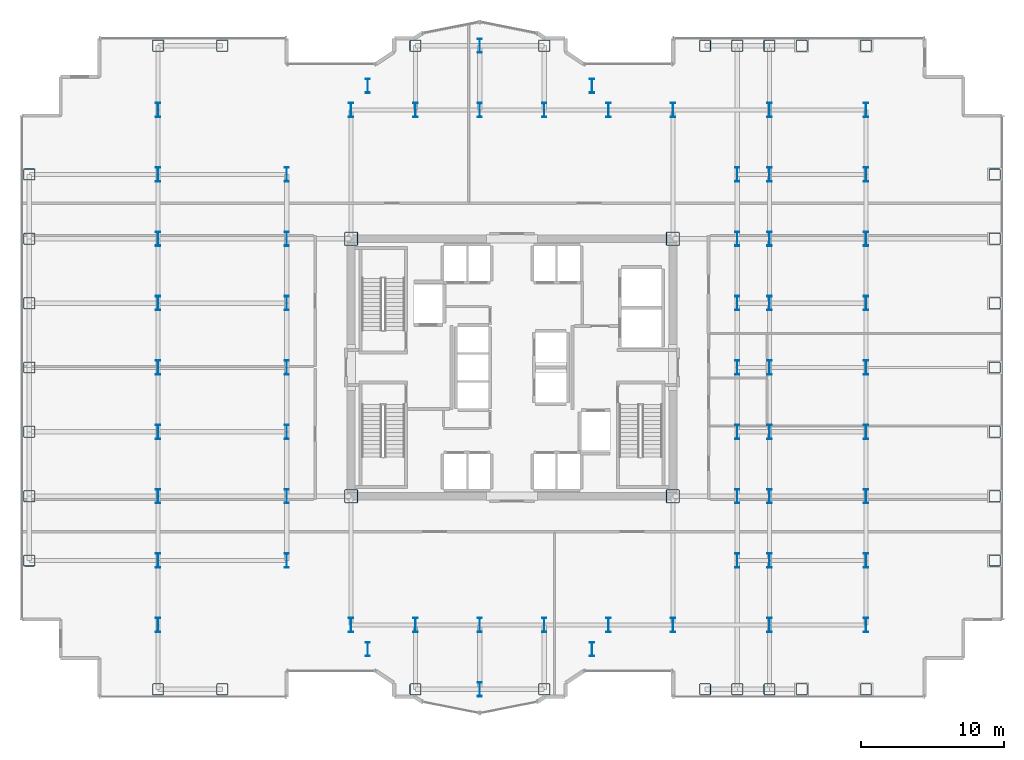
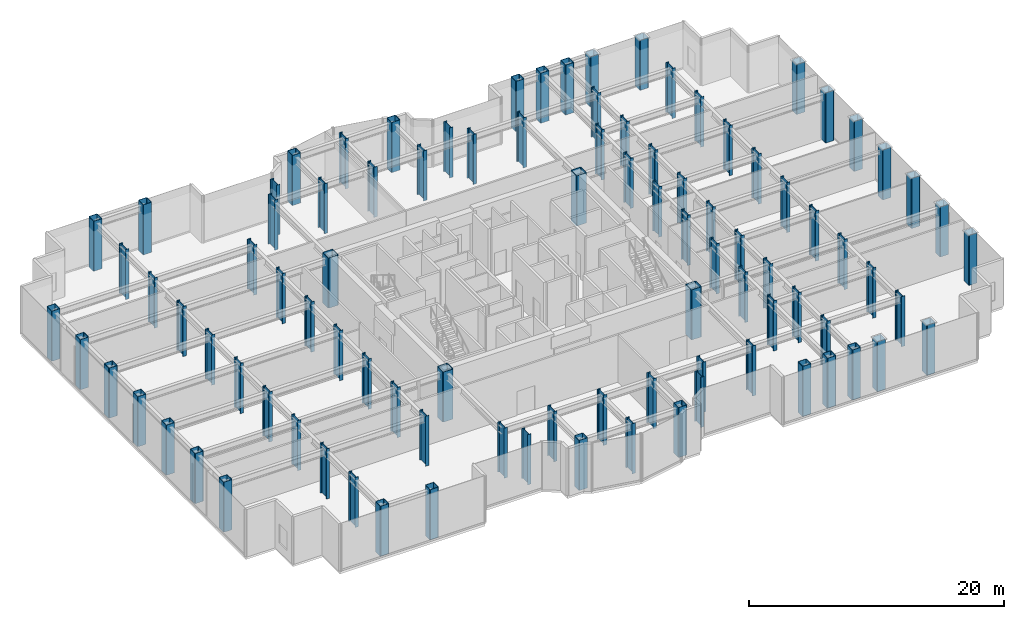
# One storey, part 1 of 27: 95 columns.
"""IFC4 building model written with IfcOpenShell, lengths in metres."""

import ifcopenshell
import ifcopenshell.guid

model = None  # the IFC model being written
_history = None  # IfcOwnerHistory: only IFC2X3 demands one
_inside = {}  # id of a spatial element -> (the spatial element, [elements in it])
_under = {}  # id of a project, library or spatial element -> (it, [spatial elements below it])
_declared = {}  # id of a project -> (the project, [libraries it declares])
_typed = {}  # id of a type object -> (the type object, [elements of that type])
_made_of = {}  # id of a material, layer set ... -> (it, [elements and type objects made of it])


def new_model(schema):
    """Start an empty IFC model of exactly this schema.

    Asked for "IFC4X3", IfcOpenShell would pick the latest addendum, in which some entities
    have other attributes; the version numbers below select the first issue.
    IFC2X3 requires an IfcOwnerHistory on every rooted entity: one is made here for all.
    """
    global model, _history
    if schema == "IFC4X3":
        model = ifcopenshell.file(schema_version=(4, 3, 0, 0))
    else:
        model = ifcopenshell.file(schema=schema)
    _inside.clear()
    _under.clear()
    _declared.clear()
    _typed.clear()
    _made_of.clear()
    _history = None
    if model.schema == "IFC2X3":
        org = make("IfcOrganization", Name="unknown")
        user = make(
            "IfcPersonAndOrganization",
            ThePerson=make("IfcPerson", FamilyName="unknown"),
            TheOrganization=org,
        )
        app = make(
            "IfcApplication",
            ApplicationDeveloper=org,
            Version="unknown",
            ApplicationFullName="unknown",
            ApplicationIdentifier="unknown",
        )
        _history = make(
            "IfcOwnerHistory",
            OwningUser=user,
            OwningApplication=app,
            ChangeAction="ADDED",
            CreationDate=0,
        )
    return model


def make(cls, **values):
    """One entity of the class cls with the attributes given. An attribute that is None is left unset."""
    return model.create_entity(
        cls, **{name: value for name, value in values.items() if value is not None}
    )


def rooted(cls, **values):
    """An entity with a GlobalId (a new one), such as an element, a storey or a relation."""
    return make(cls, GlobalId=ifcopenshell.guid.new(), OwnerHistory=_history, **values)


def si_unit(unit_type, name, prefix=None):
    """IfcSIUnit, for example si_unit("LENGTHUNIT", "METRE", prefix="MILLI")."""
    return make("IfcSIUnit", UnitType=unit_type, Prefix=prefix, Name=name)


def assignment(units):
    """IfcUnitAssignment: the units of a project."""
    return None if units is None else make("IfcUnitAssignment", Units=units)


def point(xyz):
    """IfcCartesianPoint."""
    return None if xyz is None else make("IfcCartesianPoint", Coordinates=xyz)


def direction(xyz):
    """IfcDirection."""
    return None if xyz is None else make("IfcDirection", DirectionRatios=xyz)


def frame(location, z_axis=None, x_axis=None):
    """IfcAxis2Placement3D, a coordinate frame: its origin and axes. An axis left out is left unset."""
    return make(
        "IfcAxis2Placement3D",
        Location=point(location),
        Axis=direction(z_axis),
        RefDirection=direction(x_axis),
    )


def frame_2d(location, x_axis=None):
    """IfcAxis2Placement2D, a coordinate frame in the plane: its origin and x axis."""
    return make(
        "IfcAxis2Placement2D", Location=point(location), RefDirection=direction(x_axis)
    )


def origin():
    """The frame at (0, 0, 0) with its axes left unset."""
    return frame((0.0, 0.0, 0.0))


def origin_2d():
    """The frame at (0, 0) in the plane with its x axis left unset."""
    return frame_2d((0.0, 0.0))


def place(relative_to, where):
    """IfcLocalPlacement: puts the frame where relative to a parent placement (None: the world)."""
    return make(
        "IfcLocalPlacement", PlacementRelTo=relative_to, RelativePlacement=where
    )


def context(
    kind, dimensions, precision=None, world=None, true_north=None, identifier=None
):
    """IfcGeometricRepresentationContext, for example the 3D "Model" context."""
    return make(
        "IfcGeometricRepresentationContext",
        ContextIdentifier=identifier,
        ContextType=kind,
        CoordinateSpaceDimension=dimensions,
        Precision=precision,
        WorldCoordinateSystem=world,
        TrueNorth=true_north,
    )


def subcontext(parent, identifier, kind, view, scale=None):
    """IfcGeometricRepresentationSubContext, for example "Body" below "Model"."""
    return make(
        "IfcGeometricRepresentationSubContext",
        ContextIdentifier=identifier,
        ContextType=kind,
        ParentContext=parent,
        TargetScale=scale,
        TargetView=view,
    )


def project(units=None, contexts=None):
    """IfcProject with its units and contexts."""
    return rooted(
        "IfcProject",
        Name="project",
        RepresentationContexts=contexts,
        UnitsInContext=assignment(units),
    )


def spatial(cls, under=None, at=None, **own):
    """A site, building, storey or space (cls), placed at a placement, below another one or the project."""
    s = rooted(cls, ObjectPlacement=at, **own)
    if under is not None:
        _under.setdefault(under.id(), (under, []))[1].append(s)
    return s


def profile(cls, at=None, kind="AREA", **sizes):
    """A parametric profile (cls). Its sizes go by their IFC names, for example OverallWidth=200.0."""
    return make(cls, ProfileType=kind, Position=at, **sizes)


def hollow_rectangle(**sizes):
    """IfcRectangleHollowProfileDef."""
    return profile("IfcRectangleHollowProfileDef", **sizes)


def i_section(**sizes):
    """IfcIShapeProfileDef."""
    return profile("IfcIShapeProfileDef", **sizes)


def extrude(swept, where, along, depth):
    """IfcExtrudedAreaSolid: the profile swept, set in the frame where, extruded along a direction by depth."""
    return make(
        "IfcExtrudedAreaSolid",
        SweptArea=swept,
        Position=where,
        ExtrudedDirection=direction(along),
        Depth=depth,
    )


def shape(context_of_items, identifier, shape_type, items):
    """IfcShapeRepresentation: the items that make up one representation, for example the "Body"."""
    return make(
        "IfcShapeRepresentation",
        ContextOfItems=context_of_items,
        RepresentationIdentifier=identifier,
        RepresentationType=shape_type,
        Items=items,
    )


def source(mapping_origin, context_of_items, identifier, shape_type, items):
    """IfcRepresentationMap: a shape defined once, which mapped items show again and again."""
    return make(
        "IfcRepresentationMap",
        MappingOrigin=mapping_origin,
        MappedRepresentation=shape(context_of_items, identifier, shape_type, items),
    )


def transform(
    local_origin,
    x_axis=None,
    y_axis=None,
    z_axis=None,
    scale=None,
    scale2=None,
    scale3=None,
    uniform=True,
):
    """IfcCartesianTransformationOperator3D, or its non-uniform kind. x_axis, y_axis, z_axis: its Axis1, 2, 3."""
    if uniform:
        return make(
            "IfcCartesianTransformationOperator3D",
            Axis1=direction(x_axis),
            Axis2=direction(y_axis),
            LocalOrigin=point(local_origin),
            Scale=scale,
            Axis3=direction(z_axis),
        )
    return make(
        "IfcCartesianTransformationOperator3DnonUniform",
        Axis1=direction(x_axis),
        Axis2=direction(y_axis),
        LocalOrigin=point(local_origin),
        Scale=scale,
        Axis3=direction(z_axis),
        Scale2=scale2,
        Scale3=scale3,
    )


def mapped(mapping_source, mapping_target):
    """IfcMappedItem: shows the shape of a source again, moved by a transform."""
    return make(
        "IfcMappedItem", MappingSource=mapping_source, MappingTarget=mapping_target
    )


def material(Name=None, Category=None):
    """IfcMaterial."""
    return make("IfcMaterial", Name=Name, Category=Category)


def material_profile(
    of_material, cross_section, Name=None, Category=None, Priority=None
):
    """IfcMaterialProfile: a cross section and its material."""
    return make(
        "IfcMaterialProfile",
        Name=Name,
        Material=of_material,
        Profile=cross_section,
        Priority=Priority,
        Category=Category,
    )


def profile_set(profiles, Name=None, composite=None):
    """IfcMaterialProfileSet."""
    return make(
        "IfcMaterialProfileSet",
        Name=Name,
        MaterialProfiles=profiles,
        CompositeProfile=composite,
    )


def made_of(thing, what):
    """Note that an element or type object is made of a material, layer set ...; save() writes the relation."""
    if what is not None:
        _made_of.setdefault(what.id(), (what, []))[1].append(thing)
    return thing


def type_object(cls, material=None, **own):
    """A type object (cls), such as IfcWallType, which elements share."""
    return made_of(rooted(cls, **own), material)


def element(
    cls,
    number,
    at=None,
    inside=None,
    cuts=None,
    type_object=None,
    material=None,
    context=None,
    identifier="Body",
    shape_type=None,
    held_by="IfcProductDefinitionShape",
    body=None,
    shapes=None,
    **own,
):
    """One element of the class cls, such as IfcWall. Its Tag is "e" and its number.

    at: its placement. inside: the storey or other place that contains it. cuts: it is an
    opening in that element (IfcRelVoidsElement). A single representation is given by context,
    identifier, shape_type and body (its items); several are given by shapes. held_by: the class
    of the entity that holds the representations. save() writes the other relations.
    """
    e = rooted(cls, Tag="e%d" % number, ObjectPlacement=at, **own)
    if body is not None:
        shapes = [shape(context, identifier, shape_type, body)]
    if shapes is not None:
        e.Representation = make(held_by, Representations=shapes)
    if inside is not None:
        _inside.setdefault(inside.id(), (inside, []))[1].append(e)
    if cuts is not None:
        rooted(
            "IfcRelVoidsElement", RelatingBuildingElement=cuts, RelatedOpeningElement=e
        )
    if type_object is not None:
        _typed.setdefault(type_object.id(), (type_object, []))[1].append(e)
    return made_of(e, material)


def aggregate(whole, parts):
    """IfcRelAggregates: a whole, such as a stair, and the parts it consists of."""
    return rooted("IfcRelAggregates", RelatingObject=whole, RelatedObjects=parts)


def save(model, path):
    """Write the relations noted so far, then the file.

    IfcRelAggregates (storeys below a building ...), IfcRelContainedInSpatialStructure (elements
    in a storey), IfcRelDefinesByType, IfcRelAssociatesMaterial and IfcRelDeclares: one each for
    every whole, place, type object, material and project.
    """
    for whole, parts in _under.values():
        aggregate(whole, parts)
    for where, things in _inside.values():
        rooted(
            "IfcRelContainedInSpatialStructure",
            RelatedElements=things,
            RelatingStructure=where,
        )
    for kind, things in _typed.values():
        rooted("IfcRelDefinesByType", RelatedObjects=things, RelatingType=kind)
    for what, things in _made_of.values():
        rooted("IfcRelAssociatesMaterial", RelatedObjects=things, RelatingMaterial=what)
    for by, libraries in _declared.values():
        rooted("IfcRelDeclares", RelatingContext=by, RelatedDefinitions=libraries)
    model.write(path)


model = new_model("IFC4")

# Units and contexts
model_context = context("Model", 3, precision=1e-05, world=origin(), true_north=direction((0.0, 1.0)))
body_context = subcontext(model_context, "Body", "Model", "MODEL_VIEW")
ifc_project = project(units=[si_unit("LENGTHUNIT", "METRE"), si_unit("AREAUNIT", "SQUARE_METRE"), si_unit("VOLUMEUNIT", "CUBIC_METRE"), si_unit("PLANEANGLEUNIT", "RADIAN"), si_unit("MASSUNIT", "GRAM", prefix="KILO")], contexts=[model_context])

# Site, building, storey
site_placement = place(None, origin())
site = spatial("IfcSite", under=ifc_project, at=site_placement, CompositionType="ELEMENT")
building_placement = place(site_placement, origin())
building = spatial("IfcBuilding", under=site, at=building_placement, Name="Nefas-Gora Pilgrimage Tower", CompositionType="ELEMENT")
storey_placement = place(building_placement, frame((0.0, 0.0, 144.0)))
storey = spatial("IfcBuildingStorey", under=building, at=storey_placement, Name="L35", CompositionType="ELEMENT", Elevation=144.0)

# Columns
ifc_material = material(Name="Steel S460", Category="steel")
ifc_material_profile_1 = material_profile(ifc_material, hollow_rectangle(XDim=0.800048828125, YDim=0.800048828125, WallThickness=0.0400390625, InnerFilletRadius=0.0400390625, OuterFilletRadius=0.080078125, at=origin_2d()), Name="BOX 800x800x40")
ifc_profile_set_1 = profile_set([ifc_material_profile_1], Name="Steel S460")
column_type_1 = type_object("IfcColumnType", Name="COL-TUBE-800", PredefinedType="COLUMN", material=ifc_profile_set_1)
shared_shape_1 = source(origin(), body_context, "Body", "SweptSolid", [
    extrude(hollow_rectangle(XDim=0.800048828125, YDim=0.800048828125, WallThickness=0.0400390625, InnerFilletRadius=0.0400390625, OuterFilletRadius=0.080078125, at=origin_2d()), origin(), (0.0, 0.0, 1.0), 4.800048828125),
])
for number, where, z_axis, x_axis, name in (
    (1, (-33.75, -13.5, 0.0), (0.0, 0.0, 1.0), (1.0, 0.0, 0.0), "L35 Tower Column C-Z2.1"),
    (2, (-33.75, -9.0, 0.0), (0.0, 0.0, 1.0), (1.0, 0.0, 0.0), "L35 Tower Column C-Z2.2"),
    (3, (-33.75, -4.5, 0.0), (0.0, 0.0, 1.0), (1.0, 0.0, 0.0), "L35 Tower Column C-Z2.3"),
    (4, (-33.75, 0.0, 0.0), (0.0, 0.0, 1.0), (1.0, 0.0, 0.0), "L35 Tower Column C-Z2.4"),
    (5, (-33.75, 4.5, 0.0), (0.0, 0.0, 1.0), (1.0, 0.0, 0.0), "L35 Tower Column C-Z2.5"),
    (6, (-33.75, 9.0, 0.0), (0.0, 0.0, 1.0), (1.0, 0.0, 0.0), "L35 Tower Column C-Z2.6"),
    (7, (-33.75, 13.5, 0.0), (0.0, 0.0, 1.0), (1.0, 0.0, 0.0), "L35 Tower Column C-Z2.7"),
    (8, (-24.75, -22.5, 0.0), (0.0, 0.0, 1.0), (1.0, 0.0, 0.0), "L35 Tower Column C-Z2.8"),
    (9, (-24.75, 22.5, 0.0), (0.0, 0.0, 1.0), (1.0, 0.0, 0.0), "L35 Tower Column C-Z2.18"),
    (10, (-20.25, -22.5, 0.0), (0.0, 0.0, 1.0), (1.0, 0.0, 0.0), "L35 Tower Column C-Z2.19"),
    (11, (-20.25, 22.5, 0.0), (0.0, 0.0, 1.0), (1.0, 0.0, 0.0), "L35 Tower Column C-Z2.20"),
    (12, (-6.75, -22.5, 0.0), (0.0, 0.0, 1.0), (1.0, 0.0, 0.0), "L35 Tower Column C-Z2.34"),
    (13, (-6.75, 22.5, 0.0), (0.0, 0.0, 1.0), (1.0, 0.0, 0.0), "L35 Tower Column C-Z2.37"),
    (14, (2.25, -22.5, 0.0), (0.0, 0.0, 1.0), (1.0, 0.0, 0.0), "L35 Tower Column C-Z2.42"),
    (15, (2.25, 22.5, 0.0), (0.0, 0.0, 1.0), (1.0, 0.0, 0.0), "L35 Tower Column C-Z2.45"),
    (16, (13.5, -22.5, 0.0), (0.0, 0.0, 1.0), (1.0, 0.0, 0.0), "L35 Tower Column C-Z2.54"),
    (17, (13.5, 22.5, 0.0), (0.0, 0.0, 1.0), (1.0, 0.0, 0.0), "L35 Tower Column C-Z2.55"),
    (18, (15.75, -22.5, 0.0), (0.0, 0.0, 1.0), (1.0, 0.0, 0.0), "L35 Tower Column C-Z2.56"),
    (19, (15.75, 22.5, 0.0), (0.0, 0.0, 1.0), (1.0, 0.0, 0.0), "L35 Tower Column C-Z2.64"),
    (20, (18.0, -22.5, 0.0), (0.0, 0.0, 1.0), (1.0, 0.0, 0.0), "L35 Tower Column C-Z2.65"),
    (21, (18.0, 22.5, 0.0), (0.0, 0.0, 1.0), (1.0, 0.0, 0.0), "L35 Tower Column C-Z2.75"),
    (22, (20.25, -22.5, 0.0), (0.0, 0.0, 1.0), (1.0, 0.0, 0.0), "L35 Tower Column C-Z2.76"),
    (23, (20.25, 22.5, 0.0), (0.0, 0.0, 1.0), (1.0, 0.0, 0.0), "L35 Tower Column C-Z2.77"),
    (24, (24.75, -22.5, 0.0), (0.0, 0.0, 1.0), (1.0, 0.0, 0.0), "L35 Tower Column C-Z2.78"),
    (25, (24.75, 22.5, 0.0), (0.0, 0.0, 1.0), (1.0, 0.0, 0.0), "L35 Tower Column C-Z2.88"),
    (26, (33.75, -13.5, 0.0), (0.0, 0.0, 1.0), (1.0, 0.0, 0.0), "L35 Tower Column C-Z2.89"),
    (27, (33.75, -9.0, 0.0), (0.0, 0.0, 1.0), (1.0, 0.0, 0.0), "L35 Tower Column C-Z2.90"),
    (28, (33.75, -4.5, 0.0), (0.0, 0.0, 1.0), (1.0, 0.0, 0.0), "L35 Tower Column C-Z2.91"),
    (29, (33.75, 0.0, 0.0), (0.0, 0.0, 1.0), (1.0, 0.0, 0.0), "L35 Tower Column C-Z2.92"),
    (30, (33.75, 4.5, 0.0), (0.0, 0.0, 1.0), (1.0, 0.0, 0.0), "L35 Tower Column C-Z2.93"),
    (31, (33.75, 9.0, 0.0), (0.0, 0.0, 1.0), (1.0, 0.0, 0.0), "L35 Tower Column C-Z2.94"),
    (32, (33.75, 13.5, 0.0), (0.0, 0.0, 1.0), (1.0, 0.0, 0.0), "L35 Tower Column C-Z2.95"),
):
    element("IfcColumn", number, at=place(storey_placement, frame(where, z_axis=z_axis, x_axis=x_axis)), inside=storey, type_object=column_type_1, Name=name, PredefinedType="COLUMN", context=body_context, shape_type="MappedRepresentation", body=[
        mapped(shared_shape_1, transform((0.0, 0.0, 0.0), x_axis=(1.0, 0.0, 0.0), y_axis=(0.0, 1.0, 0.0), z_axis=(0.0, 0.0, 1.0), scale=1.0)),
    ])
ifc_material_profile_2 = material_profile(ifc_material, i_section(OverallWidth=0.302001953125, OverallDepth=1.008056640625, WebThickness=0.02099609375, FlangeThickness=0.0400390625, FilletRadius=0.030029296875, at=origin_2d()), Name="HEM 1000")
ifc_profile_set_2 = profile_set([ifc_material_profile_2], Name="Steel S460")
column_type_2 = type_object("IfcColumnType", Name="COL-WEB-HEM1000", PredefinedType="COLUMN", material=ifc_profile_set_2)
shared_shape_2 = source(origin(), body_context, "Body", "SweptSolid", [
    extrude(i_section(OverallWidth=0.302001953125, OverallDepth=1.008056640625, WebThickness=0.02099609375, FlangeThickness=0.0400390625, FilletRadius=0.030029296875, at=origin_2d()), origin(), (0.0, 0.0, 1.0), 4.800048828125),
])
for number, where, z_axis, x_axis, name in (
    (33, (-24.75, -18.0, 0.0), (0.0, 0.0, 1.0), (1.0, 0.0, 0.0), "L35 Tower Column CW-01.9"),
    (34, (-24.75, -13.5, 0.0), (0.0, 0.0, 1.0), (1.0, 0.0, 0.0), "L35 Tower Column CW-01.10"),
    (35, (-24.75, -9.0, 0.0), (0.0, 0.0, 1.0), (1.0, 0.0, 0.0), "L35 Tower Column CW-01.11"),
    (36, (-24.75, -4.5, 0.0), (0.0, 0.0, 1.0), (1.0, 0.0, 0.0), "L35 Tower Column CW-01.12"),
    (37, (-24.75, 0.0, 0.0), (0.0, 0.0, 1.0), (1.0, 0.0, 0.0), "L35 Tower Column CW-01.13"),
    (38, (-24.75, 4.5, 0.0), (0.0, 0.0, 1.0), (1.0, 0.0, 0.0), "L35 Tower Column CW-01.14"),
    (39, (-24.75, 9.0, 0.0), (0.0, 0.0, 1.0), (1.0, 0.0, 0.0), "L35 Tower Column CW-01.15"),
    (40, (-24.75, 13.5, 0.0), (0.0, 0.0, 1.0), (1.0, 0.0, 0.0), "L35 Tower Column CW-01.16"),
    (41, (-24.75, 18.0, 0.0), (0.0, 0.0, 1.0), (1.0, 0.0, 0.0), "L35 Tower Column CW-01.17"),
    (42, (-15.75, -13.5, 0.0), (0.0, 0.0, 1.0), (1.0, 0.0, 0.0), "L35 Tower Column CW-01.21"),
    (43, (-15.75, -9.0, 0.0), (0.0, 0.0, 1.0), (1.0, 0.0, 0.0), "L35 Tower Column CW-01.22"),
    (44, (-15.75, -4.5, 0.0), (0.0, 0.0, 1.0), (1.0, 0.0, 0.0), "L35 Tower Column CW-01.23"),
    (45, (-15.75, 0.0, 0.0), (0.0, 0.0, 1.0), (1.0, 0.0, 0.0), "L35 Tower Column CW-01.24"),
    (46, (-15.75, 4.5, 0.0), (0.0, 0.0, 1.0), (1.0, 0.0, 0.0), "L35 Tower Column CW-01.25"),
    (47, (-15.75, 9.0, 0.0), (0.0, 0.0, 1.0), (1.0, 0.0, 0.0), "L35 Tower Column CW-01.26"),
    (48, (-15.75, 13.5, 0.0), (0.0, 0.0, 1.0), (1.0, 0.0, 0.0), "L35 Tower Column CW-01.27"),
    (49, (-11.25, -18.0, 0.0), (0.0, 0.0, 1.0), (1.0, 0.0, 0.0), "L35 Tower Column CW-01.28"),
    (50, (-11.25, 18.0, 0.0), (0.0, 0.0, 1.0), (1.0, 0.0, 0.0), "L35 Tower Column CW-01.31"),
    (51, (-10.091064453125, -19.696044921875, 0.0), (0.0, 0.0, 1.0), (1.0, 0.0, 0.0), "L35 Tower Column CW-01.32"),
    (52, (-10.091064453125, 19.696044921875, 0.0), (0.0, 0.0, 1.0), (1.0, 0.0, 0.0), "L35 Tower Column CW-01.33"),
    (53, (-6.75, -18.0, 0.0), (0.0, 0.0, 1.0), (1.0, 0.0, 0.0), "L35 Tower Column CW-01.35"),
    (54, (-6.75, 18.0, 0.0), (0.0, 0.0, 1.0), (1.0, 0.0, 0.0), "L35 Tower Column CW-01.36"),
    (55, (-2.25, -22.5, 0.0), (0.0, 0.0, 1.0), (1.0, 0.0, 0.0), "L35 Tower Column CW-01.38"),
    (56, (-2.25, -18.0, 0.0), (0.0, 0.0, 1.0), (1.0, 0.0, 0.0), "L35 Tower Column CW-01.39"),
    (57, (-2.25, 18.0, 0.0), (0.0, 0.0, 1.0), (1.0, 0.0, 0.0), "L35 Tower Column CW-01.40"),
    (58, (-2.25, 22.5, 0.0), (0.0, 0.0, 1.0), (1.0, 0.0, 0.0), "L35 Tower Column CW-01.41"),
    (59, (2.25, -18.0, 0.0), (0.0, 0.0, 1.0), (1.0, 0.0, 0.0), "L35 Tower Column CW-01.43"),
    (60, (2.25, 18.0, 0.0), (0.0, 0.0, 1.0), (1.0, 0.0, 0.0), "L35 Tower Column CW-01.44"),
    (61, (5.591064453125, -19.696044921875, 0.0), (0.0, 0.0, 1.0), (1.0, 0.0, 0.0), "L35 Tower Column CW-01.46"),
    (62, (5.591064453125, 19.696044921875, 0.0), (0.0, 0.0, 1.0), (1.0, 0.0, 0.0), "L35 Tower Column CW-01.47"),
    (63, (6.75, -18.0, 0.0), (0.0, 0.0, 1.0), (1.0, 0.0, 0.0), "L35 Tower Column CW-01.48"),
    (64, (6.75, 18.0, 0.0), (0.0, 0.0, 1.0), (1.0, 0.0, 0.0), "L35 Tower Column CW-01.49"),
    (65, (11.25, -18.0, 0.0), (0.0, 0.0, 1.0), (1.0, 0.0, 0.0), "L35 Tower Column CW-01.50"),
    (66, (11.25, 18.0, 0.0), (0.0, 0.0, 1.0), (1.0, 0.0, 0.0), "L35 Tower Column CW-01.53"),
    (67, (15.75, -13.5, 0.0), (0.0, 0.0, 1.0), (1.0, 0.0, 0.0), "L35 Tower Column CW-01.57"),
    (68, (15.75, -9.0, 0.0), (0.0, 0.0, 1.0), (1.0, 0.0, 0.0), "L35 Tower Column CW-01.58"),
    (69, (15.75, -4.5, 0.0), (0.0, 0.0, 1.0), (1.0, 0.0, 0.0), "L35 Tower Column CW-01.59"),
    (70, (15.75, 0.0, 0.0), (0.0, 0.0, 1.0), (1.0, 0.0, 0.0), "L35 Tower Column CW-01.60"),
    (71, (15.75, 4.5, 0.0), (0.0, 0.0, 1.0), (1.0, 0.0, 0.0), "L35 Tower Column CW-01.61"),
    (72, (15.75, 9.0, 0.0), (0.0, 0.0, 1.0), (1.0, 0.0, 0.0), "L35 Tower Column CW-01.62"),
    (73, (15.75, 13.5, 0.0), (0.0, 0.0, 1.0), (1.0, 0.0, 0.0), "L35 Tower Column CW-01.63"),
    (74, (18.0, -18.0, 0.0), (0.0, 0.0, 1.0), (1.0, 0.0, 0.0), "L35 Tower Column CW-01.66"),
    (75, (18.0, -13.5, 0.0), (0.0, 0.0, 1.0), (1.0, 0.0, 0.0), "L35 Tower Column CW-01.67"),
    (76, (18.0, -9.0, 0.0), (0.0, 0.0, 1.0), (1.0, 0.0, 0.0), "L35 Tower Column CW-01.68"),
    (77, (18.0, -4.5, 0.0), (0.0, 0.0, 1.0), (1.0, 0.0, 0.0), "L35 Tower Column CW-01.69"),
    (78, (18.0, 0.0, 0.0), (0.0, 0.0, 1.0), (1.0, 0.0, 0.0), "L35 Tower Column CW-01.70"),
    (79, (18.0, 4.5, 0.0), (0.0, 0.0, 1.0), (1.0, 0.0, 0.0), "L35 Tower Column CW-01.71"),
    (80, (18.0, 9.0, 0.0), (0.0, 0.0, 1.0), (1.0, 0.0, 0.0), "L35 Tower Column CW-01.72"),
    (81, (18.0, 13.5, 0.0), (0.0, 0.0, 1.0), (1.0, 0.0, 0.0), "L35 Tower Column CW-01.73"),
    (82, (18.0, 18.0, 0.0), (0.0, 0.0, 1.0), (1.0, 0.0, 0.0), "L35 Tower Column CW-01.74"),
    (83, (24.75, -18.0, 0.0), (0.0, 0.0, 1.0), (1.0, 0.0, 0.0), "L35 Tower Column CW-01.79"),
    (84, (24.75, -13.5, 0.0), (0.0, 0.0, 1.0), (1.0, 0.0, 0.0), "L35 Tower Column CW-01.80"),
    (85, (24.75, -9.0, 0.0), (0.0, 0.0, 1.0), (1.0, 0.0, 0.0), "L35 Tower Column CW-01.81"),
    (86, (24.75, -4.5, 0.0), (0.0, 0.0, 1.0), (1.0, 0.0, 0.0), "L35 Tower Column CW-01.82"),
    (87, (24.75, 0.0, 0.0), (0.0, 0.0, 1.0), (1.0, 0.0, 0.0), "L35 Tower Column CW-01.83"),
    (88, (24.75, 4.5, 0.0), (0.0, 0.0, 1.0), (1.0, 0.0, 0.0), "L35 Tower Column CW-01.84"),
    (89, (24.75, 9.0, 0.0), (0.0, 0.0, 1.0), (1.0, 0.0, 0.0), "L35 Tower Column CW-01.85"),
    (90, (24.75, 13.5, 0.0), (0.0, 0.0, 1.0), (1.0, 0.0, 0.0), "L35 Tower Column CW-01.86"),
    (91, (24.75, 18.0, 0.0), (0.0, 0.0, 1.0), (1.0, 0.0, 0.0), "L35 Tower Column CW-01.87"),
):
    element("IfcColumn", number, at=place(storey_placement, frame(where, z_axis=z_axis, x_axis=x_axis)), inside=storey, type_object=column_type_2, Name=name, PredefinedType="COLUMN", context=body_context, shape_type="MappedRepresentation", body=[
        mapped(shared_shape_2, transform((0.0, 0.0, 0.0), x_axis=(1.0, 0.0, 0.0), y_axis=(0.0, 1.0, 0.0), z_axis=(0.0, 0.0, 1.0), scale=1.0)),
    ])
ifc_material_profile_3 = material_profile(ifc_material, hollow_rectangle(XDim=0.949951171875, YDim=0.949951171875, WallThickness=0.044921875, InnerFilletRadius=0.044921875, OuterFilletRadius=0.090087890625, at=origin_2d()), Name="BOX 950x950x45")
ifc_profile_set_3 = profile_set([ifc_material_profile_3], Name="Steel S460")
column_type_3 = type_object("IfcColumnType", Name="COL-CORE-950", PredefinedType="COLUMN", material=ifc_profile_set_3)
shared_shape_3 = source(origin(), body_context, "Body", "SweptSolid", [
    extrude(hollow_rectangle(XDim=0.949951171875, YDim=0.949951171875, WallThickness=0.044921875, InnerFilletRadius=0.044921875, OuterFilletRadius=0.090087890625, at=origin_2d()), origin(), (0.0, 0.0, 1.0), 4.800048828125),
])
for number, where, z_axis, x_axis, name in (
    (92, (-11.25, -9.0, 0.0), (0.0, 0.0, 1.0), (1.0, 0.0, 0.0), "L35 Tower Column CC-Z1.29"),
    (93, (-11.25, 9.0, 0.0), (0.0, 0.0, 1.0), (1.0, 0.0, 0.0), "L35 Tower Column CC-Z1.30"),
    (94, (11.25, -9.0, 0.0), (0.0, 0.0, 1.0), (1.0, 0.0, 0.0), "L35 Tower Column CC-Z1.51"),
    (95, (11.25, 9.0, 0.0), (0.0, 0.0, 1.0), (1.0, 0.0, 0.0), "L35 Tower Column CC-Z1.52"),
):
    element("IfcColumn", number, at=place(storey_placement, frame(where, z_axis=z_axis, x_axis=x_axis)), inside=storey, type_object=column_type_3, Name=name, PredefinedType="COLUMN", context=body_context, shape_type="MappedRepresentation", body=[
        mapped(shared_shape_3, transform((0.0, 0.0, 0.0), x_axis=(1.0, 0.0, 0.0), y_axis=(0.0, 1.0, 0.0), z_axis=(0.0, 0.0, 1.0), scale=1.0)),
    ])

save(model, "model.ifc")
